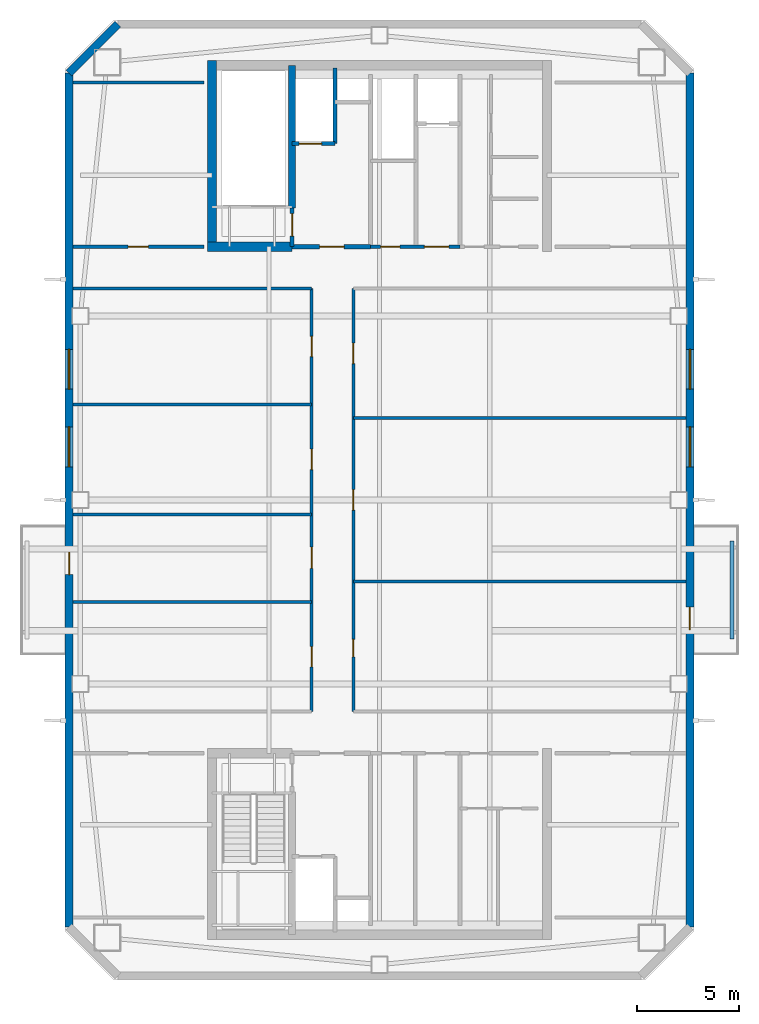
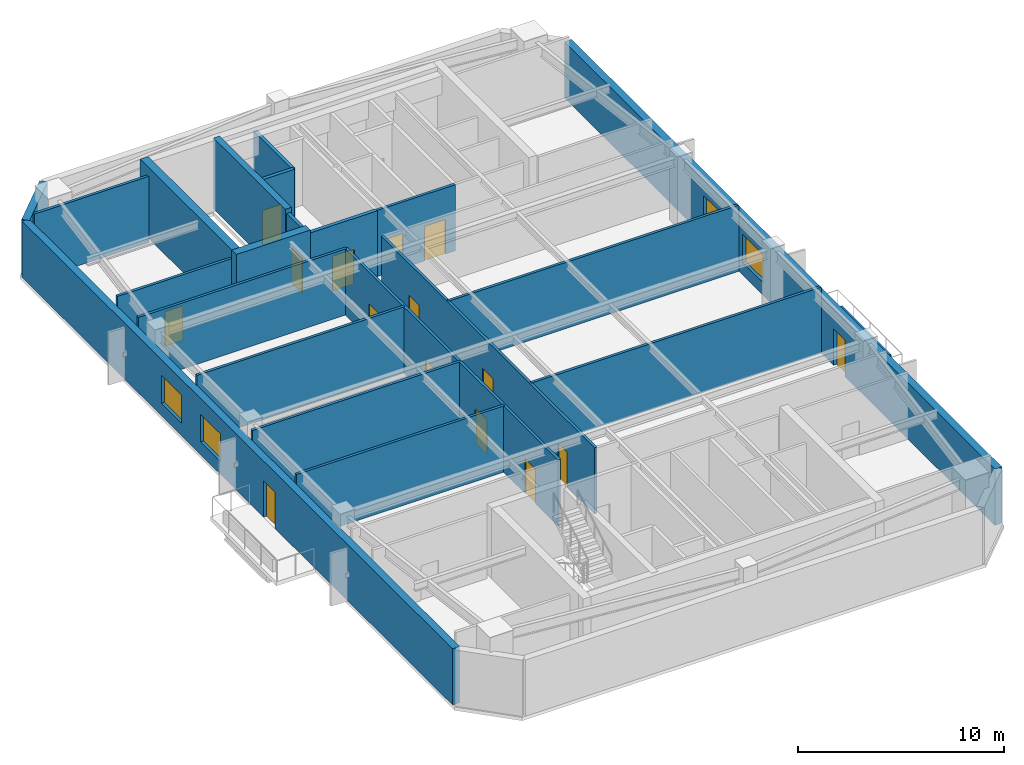
# One storey, part 3 of 6: 22 walls, 15 doors, 4 windows, 19 openings.
"""IFC4 building model written with IfcOpenShell, lengths in metres."""

import ifcopenshell
import ifcopenshell.guid

model = None  # the IFC model being written
_history = None  # IfcOwnerHistory: only IFC2X3 demands one
_inside = {}  # id of a spatial element -> (the spatial element, [elements in it])
_under = {}  # id of a project, library or spatial element -> (it, [spatial elements below it])
_declared = {}  # id of a project -> (the project, [libraries it declares])
_typed = {}  # id of a type object -> (the type object, [elements of that type])
_made_of = {}  # id of a material, layer set ... -> (it, [elements and type objects made of it])


def new_model(schema):
    """Start an empty IFC model of exactly this schema.

    Asked for "IFC4X3", IfcOpenShell would pick the latest addendum, in which some entities
    have other attributes; the version numbers below select the first issue.
    IFC2X3 requires an IfcOwnerHistory on every rooted entity: one is made here for all.
    """
    global model, _history
    if schema == "IFC4X3":
        model = ifcopenshell.file(schema_version=(4, 3, 0, 0))
    else:
        model = ifcopenshell.file(schema=schema)
    _inside.clear()
    _under.clear()
    _declared.clear()
    _typed.clear()
    _made_of.clear()
    _history = None
    if model.schema == "IFC2X3":
        org = make("IfcOrganization", Name="unknown")
        user = make(
            "IfcPersonAndOrganization",
            ThePerson=make("IfcPerson", FamilyName="unknown"),
            TheOrganization=org,
        )
        app = make(
            "IfcApplication",
            ApplicationDeveloper=org,
            Version="unknown",
            ApplicationFullName="unknown",
            ApplicationIdentifier="unknown",
        )
        _history = make(
            "IfcOwnerHistory",
            OwningUser=user,
            OwningApplication=app,
            ChangeAction="ADDED",
            CreationDate=0,
        )
    return model


def make(cls, **values):
    """One entity of the class cls with the attributes given. An attribute that is None is left unset."""
    return model.create_entity(
        cls, **{name: value for name, value in values.items() if value is not None}
    )


def rooted(cls, **values):
    """An entity with a GlobalId (a new one), such as an element, a storey or a relation."""
    return make(cls, GlobalId=ifcopenshell.guid.new(), OwnerHistory=_history, **values)


def si_unit(unit_type, name, prefix=None):
    """IfcSIUnit, for example si_unit("LENGTHUNIT", "METRE", prefix="MILLI")."""
    return make("IfcSIUnit", UnitType=unit_type, Prefix=prefix, Name=name)


def assignment(units):
    """IfcUnitAssignment: the units of a project."""
    return None if units is None else make("IfcUnitAssignment", Units=units)


def point(xyz):
    """IfcCartesianPoint."""
    return None if xyz is None else make("IfcCartesianPoint", Coordinates=xyz)


def direction(xyz):
    """IfcDirection."""
    return None if xyz is None else make("IfcDirection", DirectionRatios=xyz)


def frame(location, z_axis=None, x_axis=None):
    """IfcAxis2Placement3D, a coordinate frame: its origin and axes. An axis left out is left unset."""
    return make(
        "IfcAxis2Placement3D",
        Location=point(location),
        Axis=direction(z_axis),
        RefDirection=direction(x_axis),
    )


def frame_2d(location, x_axis=None):
    """IfcAxis2Placement2D, a coordinate frame in the plane: its origin and x axis."""
    return make(
        "IfcAxis2Placement2D", Location=point(location), RefDirection=direction(x_axis)
    )


def origin():
    """The frame at (0, 0, 0) with its axes left unset."""
    return frame((0.0, 0.0, 0.0))


def place(relative_to, where):
    """IfcLocalPlacement: puts the frame where relative to a parent placement (None: the world)."""
    return make(
        "IfcLocalPlacement", PlacementRelTo=relative_to, RelativePlacement=where
    )


def context(
    kind, dimensions, precision=None, world=None, true_north=None, identifier=None
):
    """IfcGeometricRepresentationContext, for example the 3D "Model" context."""
    return make(
        "IfcGeometricRepresentationContext",
        ContextIdentifier=identifier,
        ContextType=kind,
        CoordinateSpaceDimension=dimensions,
        Precision=precision,
        WorldCoordinateSystem=world,
        TrueNorth=true_north,
    )


def subcontext(parent, identifier, kind, view, scale=None):
    """IfcGeometricRepresentationSubContext, for example "Body" below "Model"."""
    return make(
        "IfcGeometricRepresentationSubContext",
        ContextIdentifier=identifier,
        ContextType=kind,
        ParentContext=parent,
        TargetScale=scale,
        TargetView=view,
    )


def project(units=None, contexts=None):
    """IfcProject with its units and contexts."""
    return rooted(
        "IfcProject",
        Name="project",
        RepresentationContexts=contexts,
        UnitsInContext=assignment(units),
    )


def spatial(cls, under=None, at=None, **own):
    """A site, building, storey or space (cls), placed at a placement, below another one or the project."""
    s = rooted(cls, ObjectPlacement=at, **own)
    if under is not None:
        _under.setdefault(under.id(), (under, []))[1].append(s)
    return s


def profile(cls, at=None, kind="AREA", **sizes):
    """A parametric profile (cls). Its sizes go by their IFC names, for example OverallWidth=200.0."""
    return make(cls, ProfileType=kind, Position=at, **sizes)


def rectangle(**sizes):
    """IfcRectangleProfileDef."""
    return profile("IfcRectangleProfileDef", **sizes)


def extrude(swept, where, along, depth):
    """IfcExtrudedAreaSolid: the profile swept, set in the frame where, extruded along a direction by depth."""
    return make(
        "IfcExtrudedAreaSolid",
        SweptArea=swept,
        Position=where,
        ExtrudedDirection=direction(along),
        Depth=depth,
    )


def shape(context_of_items, identifier, shape_type, items):
    """IfcShapeRepresentation: the items that make up one representation, for example the "Body"."""
    return make(
        "IfcShapeRepresentation",
        ContextOfItems=context_of_items,
        RepresentationIdentifier=identifier,
        RepresentationType=shape_type,
        Items=items,
    )


def material(Name=None, Category=None):
    """IfcMaterial."""
    return make("IfcMaterial", Name=Name, Category=Category)


def layer(
    of_material, thickness, ventilated=None, Name=None, Category=None, Priority=None
):
    """IfcMaterialLayer: one layer of a wall or slab, of a material (None: an air gap)."""
    return make(
        "IfcMaterialLayer",
        Material=of_material,
        LayerThickness=thickness,
        IsVentilated=ventilated,
        Name=Name,
        Category=Category,
        Priority=Priority,
    )


def layer_set(layers, Name=None):
    """IfcMaterialLayerSet."""
    return make("IfcMaterialLayerSet", MaterialLayers=layers, LayerSetName=Name)


def made_of(thing, what):
    """Note that an element or type object is made of a material, layer set ...; save() writes the relation."""
    if what is not None:
        _made_of.setdefault(what.id(), (what, []))[1].append(thing)
    return thing


def type_object(cls, material=None, **own):
    """A type object (cls), such as IfcWallType, which elements share."""
    return made_of(rooted(cls, **own), material)


def element(
    cls,
    number,
    at=None,
    inside=None,
    cuts=None,
    type_object=None,
    material=None,
    context=None,
    identifier="Body",
    shape_type=None,
    held_by="IfcProductDefinitionShape",
    body=None,
    shapes=None,
    **own,
):
    """One element of the class cls, such as IfcWall. Its Tag is "e" and its number.

    at: its placement. inside: the storey or other place that contains it. cuts: it is an
    opening in that element (IfcRelVoidsElement). A single representation is given by context,
    identifier, shape_type and body (its items); several are given by shapes. held_by: the class
    of the entity that holds the representations. save() writes the other relations.
    """
    e = rooted(cls, Tag="e%d" % number, ObjectPlacement=at, **own)
    if body is not None:
        shapes = [shape(context, identifier, shape_type, body)]
    if shapes is not None:
        e.Representation = make(held_by, Representations=shapes)
    if inside is not None:
        _inside.setdefault(inside.id(), (inside, []))[1].append(e)
    if cuts is not None:
        rooted(
            "IfcRelVoidsElement", RelatingBuildingElement=cuts, RelatedOpeningElement=e
        )
    if type_object is not None:
        _typed.setdefault(type_object.id(), (type_object, []))[1].append(e)
    return made_of(e, material)


def fill(opening, filler):
    """IfcRelFillsElement: the door or window that sits in an opening."""
    return rooted(
        "IfcRelFillsElement",
        RelatingOpeningElement=opening,
        RelatedBuildingElement=filler,
    )


def aggregate(whole, parts):
    """IfcRelAggregates: a whole, such as a stair, and the parts it consists of."""
    return rooted("IfcRelAggregates", RelatingObject=whole, RelatedObjects=parts)


def save(model, path):
    """Write the relations noted so far, then the file.

    IfcRelAggregates (storeys below a building ...), IfcRelContainedInSpatialStructure (elements
    in a storey), IfcRelDefinesByType, IfcRelAssociatesMaterial and IfcRelDeclares: one each for
    every whole, place, type object, material and project.
    """
    for whole, parts in _under.values():
        aggregate(whole, parts)
    for where, things in _inside.values():
        rooted(
            "IfcRelContainedInSpatialStructure",
            RelatedElements=things,
            RelatingStructure=where,
        )
    for kind, things in _typed.values():
        rooted("IfcRelDefinesByType", RelatedObjects=things, RelatingType=kind)
    for what, things in _made_of.values():
        rooted("IfcRelAssociatesMaterial", RelatedObjects=things, RelatingMaterial=what)
    for by, libraries in _declared.values():
        rooted("IfcRelDeclares", RelatingContext=by, RelatedDefinitions=libraries)
    model.write(path)


model = new_model("IFC4")

# Units and contexts
model_context = context("Model", 3, precision=1e-05, world=origin(), true_north=direction((0.0, 1.0)))
body_context = subcontext(model_context, "Body", "Model", "MODEL_VIEW")
ifc_project = project(units=[si_unit("LENGTHUNIT", "METRE"), si_unit("AREAUNIT", "SQUARE_METRE"), si_unit("VOLUMEUNIT", "CUBIC_METRE"), si_unit("PLANEANGLEUNIT", "RADIAN"), si_unit("MASSUNIT", "GRAM", prefix="KILO")], contexts=[model_context])

# Site, building, storey
site_placement = place(None, origin())
site = spatial("IfcSite", under=ifc_project, at=site_placement, CompositionType="ELEMENT")
building_placement = place(site_placement, origin())
building = spatial("IfcBuilding", under=site, at=building_placement, Name="Qiaolan Cultural Towers", CompositionType="ELEMENT")
storey_placement = place(building_placement, frame((0.0, 0.0, 276.0)))
storey = spatial("IfcBuildingStorey", under=building, at=storey_placement, Name="L76", CompositionType="ELEMENT", Elevation=276.0)

# Walls
ifc_material_1 = material(Name="Concrete C50", Category="concrete")
ifc_layer_1 = layer(ifc_material_1, 0.35009765625)
ifc_layer_set_1 = layer_set([ifc_layer_1], Name="Concrete C50")
wall_type_1 = type_object("IfcWallType", Name="WL-CORE-350", PredefinedType="SHEAR", material=ifc_layer_set_1)
wall_1_placement = place(storey_placement, frame((25.719970703125, 48.300048828125, 0.0), z_axis=(0.0, 0.0, 1.0), x_axis=(0.0, 1.0, 0.0)))
element("IfcWall", 1, at=wall_1_placement, inside=storey, type_object=wall_type_1, Name="L76 T1-CN Stair Core Dividing Web", PredefinedType="SHEAR", context=body_context, shape_type="SweptSolid", body=[
    extrude(rectangle(XDim=6.97998046875, YDim=0.35009765625, at=frame_2d((3.489990234375, 0.0))), origin(), (0.0, 0.0, 1.0), 4.199951171875),
])
ifc_material_2 = material(Name="Concrete C50", Category="concrete")
ifc_layer_2 = layer(ifc_material_2, 0.449951171875)
ifc_layer_set_2 = layer_set([ifc_layer_2], Name="Concrete C50")
wall_type_2 = type_object("IfcWallType", Name="WL-CORE-450", PredefinedType="SHEAR", material=ifc_layer_set_2)
wall_2_placement = place(storey_placement, frame((21.800048828125, 46.175048828125, 0.0), z_axis=(0.0, 0.0, 1.0), x_axis=(0.0, 1.0, 0.0)))
element("IfcWall", 2, at=wall_2_placement, inside=storey, type_object=wall_type_2, Name="L76 T1-CN West Core Shear Wall", PredefinedType="SHEAR", context=body_context, shape_type="SweptSolid", body=[
    extrude(rectangle(XDim=9.329833984375, YDim=0.449951171875, at=frame_2d((4.6650390625, 0.0))), origin(), (0.0, 0.0, 1.0), 4.199951171875),
])
wall_3_placement = place(storey_placement, frame((21.574951171875, 46.39990234375, 0.0), z_axis=(0.0, 0.0, 1.0), x_axis=(1.0, 0.0, 0.0)))
element("IfcWall", 3, at=wall_3_placement, inside=storey, type_object=wall_type_2, Name="L76 T1-CN Stair Front Shear Wall", PredefinedType="SHEAR", context=body_context, shape_type="SweptSolid", body=[
    extrude(rectangle(XDim=4.14501953125, YDim=0.449951171875, at=frame_2d((2.072509765625, 0.0))), origin(), (0.0, 0.0, 1.0), 4.199951171875),
])

# Wall, openings, door, windows
ifc_material_3 = material(Name="Precast Concrete C50 Honed Stone Pier", Category="masonry")
ifc_layer_3 = layer(ifc_material_3, 0.39990234375)
ifc_layer_set_3 = layer_set([ifc_layer_3], Name="Precast Concrete C50 Honed Stone Pier")
wall_type_3 = type_object("IfcWallType", Name="WL-EXT-PIER-400", PredefinedType="SOLIDWALL", material=ifc_layer_set_3)
wall_4_placement = place(storey_placement, frame((14.800048828125, 13.10009765625, 0.0), z_axis=(0.0, 0.0, 1.0), x_axis=(0.0, 1.0, 0.0)))
wall_4 = element("IfcWall", 4, at=wall_4_placement, inside=storey, type_object=wall_type_3, Name="L76 West Tower Precast Pier Facade Wall F1", PredefinedType="SOLIDWALL", context=body_context, shape_type="SweptSolid", body=[
    extrude(rectangle(XDim=41.7998046875, YDim=0.39990234375, at=frame_2d((20.89990234375, 0.0))), origin(), (0.0, 0.0, 1.0), 3.330078125),
])
opening_1_placement = place(wall_4_placement, frame((22.52490234375, 0.0, 0.75)))
opening_1 = element("IfcOpeningElement", 5, at=opening_1_placement, cuts=wall_4, Name="Opening W-06", PredefinedType="OPENING", context=body_context, shape_type="SweptSolid", body=[
    extrude(rectangle(XDim=1.949951171875, YDim=1.64990234375, at=frame_2d((0.97509765625, 0.824951171875))), frame((0.0, 0.2099609375, 0.0), z_axis=(0.0, -1.0, 0.0), x_axis=(1.0, 0.0, 0.0)), (0.0, 0.0, 1.0), 0.419921875),
])
opening_2_placement = place(wall_4_placement, frame((26.324951171875, 0.0, 0.75)))
opening_2 = element("IfcOpeningElement", 6, at=opening_2_placement, cuts=wall_4, Name="Opening W-06", PredefinedType="OPENING", context=body_context, shape_type="SweptSolid", body=[
    extrude(rectangle(XDim=1.949951171875, YDim=1.64990234375, at=frame_2d((0.97509765625, 0.824951171875))), frame((0.0, 0.2099609375, 0.0), z_axis=(0.0, -1.0, 0.0), x_axis=(1.0, 0.0, 0.0)), (0.0, 0.0, 1.0), 0.419921875),
])
opening_3_placement = place(wall_4_placement, frame((17.25, 0.0, 0.0)))
opening_3 = element("IfcOpeningElement", 7, at=opening_3_placement, cuts=wall_4, Name="Opening BD-01", PredefinedType="OPENING", context=body_context, shape_type="SweptSolid", body=[
    extrude(rectangle(XDim=1.10009765625, YDim=2.14990234375, at=frame_2d((0.550048828125, 1.074951171875))), frame((0.0, 0.2099609375, 0.0), z_axis=(0.0, -1.0, 0.0), x_axis=(1.0, 0.0, 0.0)), (0.0, 0.0, 1.0), 0.419921875),
])
ifc_material_4 = material(Name="Thermally Broken Aluminium Glazed Terrace Door", Category="aluminium")
door_type_1 = type_object("IfcDoorType", Name="DR-BAL-1100", OperationType="NOTDEFINED", PredefinedType="DOOR", material=ifc_material_4)
door_1_placement = place(opening_3_placement, origin())
door_1 = element("IfcDoor", 8, at=door_1_placement, inside=storey, type_object=door_type_1, Name="L76 T1 West Tree Balcony Door", OperationType="SINGLE_SWING_LEFT", OverallHeight=2.14990234375, OverallWidth=1.10009765625, PredefinedType="DOOR", context=body_context, shape_type="SweptSolid", body=[
    extrude(rectangle(XDim=1.10009765625, YDim=2.14990234375, at=frame_2d((0.550048828125, 1.074951171875))), frame((0.0, 0.02490234375, 0.0), z_axis=(0.0, -1.0, 0.0), x_axis=(1.0, 0.0, 0.0)), (0.0, 0.0, 1.0), 0.050048828125),
])
fill(opening_3, door_1)
ifc_material_5 = material(Name="Thermally Broken Aluminium Triple Low-E Glazing", Category="aluminium")
window_type = type_object("IfcWindowType", Name="WN-CHIC-1950", PartitioningType="SINGLE_PANEL", PredefinedType="WINDOW", material=ifc_material_5)
window_1_placement = place(opening_1_placement, origin())
window_1 = element("IfcWindow", 9, at=window_1_placement, inside=storey, type_object=window_type, Name="L76 T1 W Chicago Bay Window 1", OverallHeight=1.64990234375, OverallWidth=1.949951171875, PartitioningType="TRIPLE_PANEL_VERTICAL", PredefinedType="WINDOW", context=body_context, shape_type="SweptSolid", body=[
    extrude(rectangle(XDim=1.949951171875, YDim=1.64990234375, at=frame_2d((0.97509765625, 0.824951171875))), frame((0.0, 0.030029296875, 0.0), z_axis=(0.0, -1.0, 0.0), x_axis=(1.0, 0.0, 0.0)), (0.0, 0.0, 1.0), 0.06005859375),
])
fill(opening_1, window_1)
window_2_placement = place(opening_2_placement, origin())
window_2 = element("IfcWindow", 10, at=window_2_placement, inside=storey, type_object=window_type, Name="L76 T1 W Chicago Bay Window 2", OverallHeight=1.64990234375, OverallWidth=1.949951171875, PartitioningType="TRIPLE_PANEL_VERTICAL", PredefinedType="WINDOW", context=body_context, shape_type="SweptSolid", body=[
    extrude(rectangle(XDim=1.949951171875, YDim=1.64990234375, at=frame_2d((0.97509765625, 0.824951171875))), frame((0.0, 0.030029296875, 0.0), z_axis=(0.0, -1.0, 0.0), x_axis=(1.0, 0.0, 0.0)), (0.0, 0.0, 1.0), 0.06005859375),
])
fill(opening_2, window_2)

# Wall
wall_5_placement = place(storey_placement, frame((14.800048828125, 54.89990234375, 0.0), z_axis=(0.0, 0.0, 1.0), x_axis=(0.707070815327, 0.707142745217, 0.0)))
element("IfcWall", 11, at=wall_5_placement, inside=storey, type_object=wall_type_3, Name="L76 West Tower Precast Pier Facade Wall F2", PredefinedType="SOLIDWALL", context=body_context, shape_type="SweptSolid", body=[
    extrude(rectangle(XDim=3.39404296875, YDim=0.39990234375, at=frame_2d((1.697021484375, 0.0))), origin(), (0.0, 0.0, 1.0), 3.330078125),
])

# Wall, openings, door, windows
wall_6_placement = place(storey_placement, frame((45.199951171875, 54.89990234375, 0.0), z_axis=(0.0, 0.0, 1.0), x_axis=(0.0, -1.0, 0.0)))
wall_6 = element("IfcWall", 12, at=wall_6_placement, inside=storey, type_object=wall_type_3, Name="L76 West Tower Precast Pier Facade Wall F5", PredefinedType="SOLIDWALL", context=body_context, shape_type="SweptSolid", body=[
    extrude(rectangle(XDim=41.7998046875, YDim=0.39990234375, at=frame_2d((20.89990234375, 0.0))), origin(), (0.0, 0.0, 1.0), 3.330078125),
])
opening_4_placement = place(wall_6_placement, frame((17.324951171875, 0.0, 0.75)))
opening_4 = element("IfcOpeningElement", 13, at=opening_4_placement, cuts=wall_6, Name="Opening W-06", PredefinedType="OPENING", context=body_context, shape_type="SweptSolid", body=[
    extrude(rectangle(XDim=1.949951171875, YDim=1.64990234375, at=frame_2d((0.97509765625, 0.824951171875))), frame((0.0, 0.2099609375, 0.0), z_axis=(0.0, -1.0, 0.0), x_axis=(1.0, 0.0, 0.0)), (0.0, 0.0, 1.0), 0.419921875),
])
opening_5_placement = place(wall_6_placement, frame((13.52490234375, 0.0, 0.75)))
opening_5 = element("IfcOpeningElement", 14, at=opening_5_placement, cuts=wall_6, Name="Opening W-06", PredefinedType="OPENING", context=body_context, shape_type="SweptSolid", body=[
    extrude(rectangle(XDim=1.949951171875, YDim=1.64990234375, at=frame_2d((0.97509765625, 0.824951171875))), frame((0.0, 0.2099609375, 0.0), z_axis=(0.0, -1.0, 0.0), x_axis=(1.0, 0.0, 0.0)), (0.0, 0.0, 1.0), 0.419921875),
])
opening_6_placement = place(wall_6_placement, frame((26.14990234375, 0.0, 0.0)))
opening_6 = element("IfcOpeningElement", 15, at=opening_6_placement, cuts=wall_6, Name="Opening BD-01", PredefinedType="OPENING", context=body_context, shape_type="SweptSolid", body=[
    extrude(rectangle(XDim=1.10009765625, YDim=2.14990234375, at=frame_2d((0.550048828125, 1.074951171875))), frame((0.0, 0.2099609375, 0.0), z_axis=(0.0, -1.0, 0.0), x_axis=(1.0, 0.0, 0.0)), (0.0, 0.0, 1.0), 0.419921875),
])
door_2_placement = place(opening_6_placement, origin())
door_2 = element("IfcDoor", 16, at=door_2_placement, inside=storey, type_object=door_type_1, Name="L76 T1 East Tree Balcony Door", OperationType="SINGLE_SWING_RIGHT", OverallHeight=2.14990234375, OverallWidth=1.10009765625, PredefinedType="DOOR", context=body_context, shape_type="SweptSolid", body=[
    extrude(rectangle(XDim=1.10009765625, YDim=2.14990234375, at=frame_2d((0.550048828125, 1.074951171875))), frame((0.0, 0.02490234375, 0.0), z_axis=(0.0, -1.0, 0.0), x_axis=(1.0, 0.0, 0.0)), (0.0, 0.0, 1.0), 0.050048828125),
])
fill(opening_6, door_2)
window_3_placement = place(opening_4_placement, origin())
window_3 = element("IfcWindow", 17, at=window_3_placement, inside=storey, type_object=window_type, Name="L76 T1 E Chicago Bay Window 1", OverallHeight=1.64990234375, OverallWidth=1.949951171875, PartitioningType="TRIPLE_PANEL_VERTICAL", PredefinedType="WINDOW", context=body_context, shape_type="SweptSolid", body=[
    extrude(rectangle(XDim=1.949951171875, YDim=1.64990234375, at=frame_2d((0.97509765625, 0.824951171875))), frame((0.0, 0.030029296875, 0.0), z_axis=(0.0, -1.0, 0.0), x_axis=(1.0, 0.0, 0.0)), (0.0, 0.0, 1.0), 0.06005859375),
])
fill(opening_4, window_3)
window_4_placement = place(opening_5_placement, origin())
window_4 = element("IfcWindow", 18, at=window_4_placement, inside=storey, type_object=window_type, Name="L76 T1 E Chicago Bay Window 2", OverallHeight=1.64990234375, OverallWidth=1.949951171875, PartitioningType="TRIPLE_PANEL_VERTICAL", PredefinedType="WINDOW", context=body_context, shape_type="SweptSolid", body=[
    extrude(rectangle(XDim=1.949951171875, YDim=1.64990234375, at=frame_2d((0.97509765625, 0.824951171875))), frame((0.0, 0.030029296875, 0.0), z_axis=(0.0, -1.0, 0.0), x_axis=(1.0, 0.0, 0.0)), (0.0, 0.0, 1.0), 0.06005859375),
])
fill(opening_5, window_4)

# Wall, opening, door
ifc_material_6 = material(Name="Concrete C35 Fire Wall", Category="concrete")
ifc_layer_4 = layer(ifc_material_6, 0.199951171875)
ifc_layer_set_4 = layer_set([ifc_layer_4], Name="Concrete C35 Fire Wall")
wall_type_4 = type_object("IfcWallType", Name="WL-FIRE-200", PredefinedType="PARTITIONING", material=ifc_layer_set_4)
wall_7_placement = place(storey_placement, frame((25.719970703125, 46.39990234375, 0.0), z_axis=(0.0, 0.0, 1.0), x_axis=(0.0, 1.0, 0.0)))
wall_7 = element("IfcWall", 19, at=wall_7_placement, inside=storey, type_object=wall_type_4, Name="L76 T1-CN Smokeproof Stair Entry Wall", PredefinedType="PARTITIONING", context=body_context, shape_type="SweptSolid", body=[
    extrude(rectangle(XDim=1.900146484375, YDim=0.199951171875, at=frame_2d((0.9501953125, 0.0))), origin(), (0.0, 0.0, 1.0), 3.925048828125),
])
opening_7_placement = place(wall_7_placement, frame((0.52001953125, 0.0, 0.0)))
opening_7 = element("IfcOpeningElement", 20, at=opening_7_placement, cuts=wall_7, Name="Opening FD-04", PredefinedType="OPENING", context=body_context, shape_type="SweptSolid", body=[
    extrude(rectangle(XDim=1.10009765625, YDim=2.050048828125, at=frame_2d((0.550048828125, 1.02490234375))), frame((0.0, 0.10986328125, 0.0), z_axis=(0.0, -1.0, 0.0), x_axis=(1.0, 0.0, 0.0)), (0.0, 0.0, 1.0), 0.219970703125),
])
ifc_material_7 = material(Name="Galvanized Steel Command Fire Door", Category="steel")
door_type_2 = type_object("IfcDoorType", Name="DR-FD90-1100", OperationType="NOTDEFINED", PredefinedType="DOOR", material=ifc_material_7)
door_3_placement = place(opening_7_placement, origin())
door_3 = element("IfcDoor", 21, at=door_3_placement, inside=storey, type_object=door_type_2, Name="L76 ST-W2 Smokeproof Stair Fire Door", OperationType="SINGLE_SWING_LEFT", OverallHeight=2.050048828125, OverallWidth=1.10009765625, PredefinedType="DOOR", context=body_context, shape_type="SweptSolid", body=[
    extrude(rectangle(XDim=1.10009765625, YDim=2.050048828125, at=frame_2d((0.550048828125, 1.02490234375))), frame((0.0, 0.02490234375, 0.0), z_axis=(0.0, -1.0, 0.0), x_axis=(1.0, 0.0, 0.0)), (0.0, 0.0, 1.0), 0.050048828125),
])
fill(opening_7, door_3)

wall_8_placement = place(storey_placement, frame((25.719970703125, 46.39990234375, 0.0), z_axis=(0.0, 0.0, 1.0), x_axis=(1.0, 0.0, 0.0)))
wall_8 = element("IfcWall", 22, at=wall_8_placement, inside=storey, type_object=wall_type_4, Name="L76 T1-CN Firefighting Lobby Front Wall", PredefinedType="PARTITIONING", context=body_context, shape_type="SweptSolid", body=[
    extrude(rectangle(XDim=3.830078125, YDim=0.199951171875, at=frame_2d((1.9150390625, 0.0))), origin(), (0.0, 0.0, 1.0), 3.925048828125),
])
opening_8_placement = place(wall_8_placement, frame((1.35009765625, 0.0, 0.0)))
opening_8 = element("IfcOpeningElement", 23, at=opening_8_placement, cuts=wall_8, Name="Opening FD-03", PredefinedType="OPENING", context=body_context, shape_type="SweptSolid", body=[
    extrude(rectangle(XDim=1.199951171875, YDim=2.050048828125, at=frame_2d((0.60009765625, 1.02490234375))), frame((0.0, 0.10986328125, 0.0), z_axis=(0.0, -1.0, 0.0), x_axis=(1.0, 0.0, 0.0)), (0.0, 0.0, 1.0), 0.219970703125),
])
ifc_material_8 = material(Name="Galvanized Steel Smokeproof Lobby Fire Door", Category="steel")
door_type_3 = type_object("IfcDoorType", Name="DR-FD90-1200", OperationType="NOTDEFINED", PredefinedType="DOOR", material=ifc_material_8)
door_4_placement = place(opening_8_placement, origin())
door_4 = element("IfcDoor", 24, at=door_4_placement, inside=storey, type_object=door_type_3, Name="L76 FFL-W2 Firefighting Lobby Fire Door", OperationType="SINGLE_SWING_LEFT", OverallHeight=2.050048828125, OverallWidth=1.199951171875, PredefinedType="DOOR", context=body_context, shape_type="SweptSolid", body=[
    extrude(rectangle(XDim=1.199951171875, YDim=2.050048828125, at=frame_2d((0.60009765625, 1.02490234375))), frame((0.0, 0.02490234375, 0.0), z_axis=(0.0, -1.0, 0.0), x_axis=(1.0, 0.0, 0.0)), (0.0, 0.0, 1.0), 0.050048828125),
])
fill(opening_8, door_4)

wall_9_placement = place(storey_placement, frame((25.719970703125, 51.449951171875, 0.0), z_axis=(0.0, 0.0, 1.0), x_axis=(1.0, 0.0, 0.0)))
wall_9 = element("IfcWall", 25, at=wall_9_placement, inside=storey, type_object=wall_type_4, Name="L76 T1-CN Firefighting Shaft Front Wall", PredefinedType="PARTITIONING", context=body_context, shape_type="SweptSolid", body=[
    extrude(rectangle(XDim=2.10009765625, YDim=0.199951171875, at=frame_2d((1.050048828125, 0.0))), origin(), (0.0, 0.0, 1.0), 3.925048828125),
])
opening_9_placement = place(wall_9_placement, frame((0.35009765625, 0.0, 0.0)))
opening_9 = element("IfcOpeningElement", 26, at=opening_9_placement, cuts=wall_9, Name="Opening LD-01", PredefinedType="OPENING", context=body_context, shape_type="SweptSolid", body=[
    extrude(rectangle(XDim=1.10009765625, YDim=2.050048828125, at=frame_2d((0.550048828125, 1.02490234375))), frame((0.0, 0.10986328125, 0.0), z_axis=(0.0, -1.0, 0.0), x_axis=(1.0, 0.0, 0.0)), (0.0, 0.0, 1.0), 0.219970703125),
])
ifc_material_9 = material(Name="Brushed Stainless Steel S30408 Centre-Parting Lift Landing Door", Category="steel")
door_type_4 = type_object("IfcDoorType", Name="DR-LIFT-1100", OperationType="NOTDEFINED", PredefinedType="DOOR", material=ifc_material_9)
door_5_placement = place(opening_9_placement, origin())
door_5 = element("IfcDoor", 27, at=door_5_placement, inside=storey, type_object=door_type_4, Name="L76 FFL-W2 Firefighting Lift Landing Door", OperationType="DOUBLE_DOOR_SLIDING", OverallHeight=2.050048828125, OverallWidth=1.10009765625, PredefinedType="DOOR", context=body_context, shape_type="SweptSolid", body=[
    extrude(rectangle(XDim=1.10009765625, YDim=2.050048828125, at=frame_2d((0.550048828125, 1.02490234375))), frame((0.0, 0.02490234375, 0.0), z_axis=(0.0, -1.0, 0.0), x_axis=(1.0, 0.0, 0.0)), (0.0, 0.0, 1.0), 0.050048828125),
])
fill(opening_9, door_5)

# Wall
wall_10_placement = place(storey_placement, frame((27.820068359375, 51.449951171875, 0.0), z_axis=(0.0, 0.0, 1.0), x_axis=(0.0, 1.0, 0.0)))
element("IfcWall", 28, at=wall_10_placement, inside=storey, type_object=wall_type_4, Name="L76 T1-CN Firefighting Hoistway East Wall", PredefinedType="PARTITIONING", context=body_context, shape_type="SweptSolid", body=[
    extrude(rectangle(XDim=3.699951171875, YDim=0.199951171875, at=frame_2d((1.85009765625, 0.0))), origin(), (0.0, 0.0, 1.0), 3.925048828125),
])

# Wall, openings, doors
ifc_material_10 = material(Name="Autoclaved Aerated Concrete Block B06", Category="concrete")
ifc_layer_5 = layer(ifc_material_10, 0.14990234375)
ifc_layer_set_5 = layer_set([ifc_layer_5], Name="Autoclaved Aerated Concrete Block B06")
wall_type_5 = type_object("IfcWallType", Name="WL-PART-150", PredefinedType="PARTITIONING", material=ifc_layer_set_5)
wall_11_placement = place(storey_placement, frame((29.550048828125, 46.39990234375, 0.0), z_axis=(0.0, 0.0, 1.0), x_axis=(1.0, 0.0, 0.0)))
wall_11 = element("IfcWall", 29, at=wall_11_placement, inside=storey, type_object=wall_type_5, Name="L76 T1-CN High-Zone Lift Lobby Wall", PredefinedType="PARTITIONING", context=body_context, shape_type="SweptSolid", body=[
    extrude(rectangle(XDim=4.39990234375, YDim=0.14990234375, at=frame_2d((2.199951171875, 0.0))), origin(), (0.0, 0.0, 1.0), 3.925048828125),
])
opening_10_placement = place(wall_11_placement, frame((0.5, 0.0, 0.0)))
opening_10 = element("IfcOpeningElement", 30, at=opening_10_placement, cuts=wall_11, Name="Opening ID-05", PredefinedType="OPENING", context=body_context, shape_type="SweptSolid", body=[
    extrude(rectangle(XDim=0.949951171875, YDim=2.050048828125, at=frame_2d((0.47509765625, 1.02490234375))), frame((0.0, 0.0849609375, 0.0), z_axis=(0.0, -1.0, 0.0), x_axis=(1.0, 0.0, 0.0)), (0.0, 0.0, 1.0), 0.169921875),
])
opening_11_placement = place(wall_11_placement, frame((2.64990234375, 0.0, 0.0)))
opening_11 = element("IfcOpeningElement", 31, at=opening_11_placement, cuts=wall_11, Name="Opening FD-06", PredefinedType="OPENING", context=body_context, shape_type="SweptSolid", body=[
    extrude(rectangle(XDim=1.199951171875, YDim=2.050048828125, at=frame_2d((0.60009765625, 1.02490234375))), frame((0.0, 0.0849609375, 0.0), z_axis=(0.0, -1.0, 0.0), x_axis=(1.0, 0.0, 0.0)), (0.0, 0.0, 1.0), 0.169921875),
])
ifc_material_11 = material(Name="Painted Steel Plant Fire Door", Category="steel")
door_type_5 = type_object("IfcDoorType", Name="DR-FD60-1200", OperationType="NOTDEFINED", PredefinedType="DOOR", material=ifc_material_11)
door_6_placement = place(opening_11_placement, origin())
door_6 = element("IfcDoor", 32, at=door_6_placement, inside=storey, type_object=door_type_5, Name="L76 Sky Shuttle Lift Lobby Door", OperationType="SINGLE_SWING_RIGHT", OverallHeight=2.050048828125, OverallWidth=1.199951171875, PredefinedType="DOOR", context=body_context, shape_type="SweptSolid", body=[
    extrude(rectangle(XDim=1.199951171875, YDim=2.050048828125, at=frame_2d((0.60009765625, 1.02490234375))), frame((0.0, 0.02490234375, 0.0), z_axis=(0.0, -1.0, 0.0), x_axis=(1.0, 0.0, 0.0)), (0.0, 0.0, 1.0), 0.050048828125),
])
fill(opening_11, door_6)
ifc_material_12 = material(Name="Fire-Rated Laminate Accessible Core Door", Category="timber")
door_type_6 = type_object("IfcDoorType", Name="DR-INT-950", OperationType="NOTDEFINED", PredefinedType="DOOR", material=ifc_material_12)
door_7_placement = place(opening_10_placement, origin())
door_7 = element("IfcDoor", 33, at=door_7_placement, inside=storey, type_object=door_type_6, Name="L76 Reclaimed Server Room Door", OperationType="SINGLE_SWING_LEFT", OverallHeight=2.050048828125, OverallWidth=0.949951171875, PredefinedType="DOOR", context=body_context, shape_type="SweptSolid", body=[
    extrude(rectangle(XDim=0.949951171875, YDim=2.050048828125, at=frame_2d((0.47509765625, 1.02490234375))), frame((0.0, 0.02490234375, 0.0), z_axis=(0.0, -1.0, 0.0), x_axis=(1.0, 0.0, 0.0)), (0.0, 0.0, 1.0), 0.050048828125),
])
fill(opening_10, door_7)

# Wall
wall_12_placement = place(storey_placement, frame((15.0, 54.449951171875, 0.0), z_axis=(0.0, 0.0, 1.0), x_axis=(1.0, 0.0, 0.0)))
element("IfcWall", 34, at=wall_12_placement, inside=storey, type_object=wall_type_5, Name="L76 T1 Flank Wall FLK-NW", PredefinedType="PARTITIONING", context=body_context, shape_type="SweptSolid", body=[
    extrude(rectangle(XDim=6.39990234375, YDim=0.14990234375, at=frame_2d((3.199951171875, 0.0))), origin(), (0.0, 0.0, 1.0), 3.925048828125),
])

# Wall, opening, door
wall_13_placement = place(storey_placement, frame((15.0, 46.39990234375, 0.0), z_axis=(0.0, 0.0, 1.0), x_axis=(1.0, 0.0, 0.0)))
wall_13 = element("IfcWall", 35, at=wall_13_placement, inside=storey, type_object=wall_type_5, Name="L76 T1 Flank Front FLK-NW", PredefinedType="PARTITIONING", context=body_context, shape_type="SweptSolid", body=[
    extrude(rectangle(XDim=6.39990234375, YDim=0.14990234375, at=frame_2d((3.199951171875, 0.0))), origin(), (0.0, 0.0, 1.0), 3.925048828125),
])
opening_12_placement = place(wall_13_placement, frame((2.68798828125, 0.0, 0.0)))
opening_12 = element("IfcOpeningElement", 36, at=opening_12_placement, cuts=wall_13, Name="Opening ID-04", PredefinedType="OPENING", context=body_context, shape_type="SweptSolid", body=[
    extrude(rectangle(XDim=1.0, YDim=2.050048828125, at=frame_2d((0.5, 1.02490234375))), frame((0.0, 0.0849609375, 0.0), z_axis=(0.0, -1.0, 0.0), x_axis=(1.0, 0.0, 0.0)), (0.0, 0.0, 1.0), 0.169921875),
])
ifc_material_13 = material(Name="Oak Veneer Acoustic Office Door", Category="timber")
door_type_7 = type_object("IfcDoorType", Name="DR-INT-1000", OperationType="NOTDEFINED", PredefinedType="DOOR", material=ifc_material_13)
door_8_placement = place(opening_12_placement, origin())
door_8 = element("IfcDoor", 37, at=door_8_placement, inside=storey, type_object=door_type_7, Name="L76 T1 Corner Studio Door", OperationType="SINGLE_SWING_LEFT", OverallHeight=2.050048828125, OverallWidth=1.0, PredefinedType="DOOR", context=body_context, shape_type="SweptSolid", body=[
    extrude(rectangle(XDim=1.0, YDim=2.050048828125, at=frame_2d((0.5, 1.02490234375))), frame((0.0, 0.02490234375, 0.0), z_axis=(0.0, -1.0, 0.0), x_axis=(1.0, 0.0, 0.0)), (0.0, 0.0, 1.0), 0.050048828125),
])
fill(opening_12, door_8)

# Wall
wall_14_placement = place(storey_placement, frame((15.0, 44.35009765625, 0.0), z_axis=(0.0, 0.0, 1.0), x_axis=(1.0, 0.0, 0.0)))
element("IfcWall", 38, at=wall_14_placement, inside=storey, type_object=wall_type_5, Name="L76 T1 North Corridor Left Wall", PredefinedType="PARTITIONING", context=body_context, shape_type="SweptSolid", body=[
    extrude(rectangle(XDim=11.675048828125, YDim=0.14990234375, at=frame_2d((5.83740234375, 0.0))), origin(), (0.0, 0.0, 1.0), 3.925048828125),
])

# Wall, openings, doors
wall_15_placement = place(storey_placement, frame((26.675048828125, 23.64990234375, 0.0), z_axis=(0.0, 0.0, 1.0), x_axis=(0.0, 1.0, 0.0)))
wall_15 = element("IfcWall", 39, at=wall_15_placement, inside=storey, type_object=wall_type_5, Name="L76 T1 West Spine Wall", PredefinedType="PARTITIONING", context=body_context, shape_type="SweptSolid", body=[
    extrude(rectangle(XDim=20.7001953125, YDim=0.14990234375, at=frame_2d((10.35009765625, 0.0))), origin(), (0.0, 0.0, 1.0), 3.925048828125),
])
opening_13_placement = place(wall_15_placement, frame((2.175048828125, 0.0, 0.0)))
opening_13 = element("IfcOpeningElement", 40, at=opening_13_placement, cuts=wall_15, Name="Opening ID-04", PredefinedType="OPENING", context=body_context, shape_type="SweptSolid", body=[
    extrude(rectangle(XDim=1.0, YDim=2.050048828125, at=frame_2d((0.5, 1.02490234375))), frame((0.0, 0.0849609375, 0.0), z_axis=(0.0, -1.0, 0.0), x_axis=(1.0, 0.0, 0.0)), (0.0, 0.0, 1.0), 0.169921875),
])
opening_14_placement = place(wall_15_placement, frame((6.99853515625, 0.0, 0.0)))
opening_14 = element("IfcOpeningElement", 41, at=opening_14_placement, cuts=wall_15, Name="Opening ID-07", PredefinedType="OPENING", context=body_context, shape_type="SweptSolid", body=[
    extrude(rectangle(XDim=1.050048828125, YDim=2.050048828125, at=frame_2d((0.52490234375, 1.02490234375))), frame((0.0, 0.0849609375, 0.0), z_axis=(0.0, -1.0, 0.0), x_axis=(1.0, 0.0, 0.0)), (0.0, 0.0, 1.0), 0.169921875),
])
opening_15_placement = place(wall_15_placement, frame((11.837890625, 0.0, 0.0)))
opening_15 = element("IfcOpeningElement", 42, at=opening_15_placement, cuts=wall_15, Name="Opening ID-04", PredefinedType="OPENING", context=body_context, shape_type="SweptSolid", body=[
    extrude(rectangle(XDim=1.0, YDim=2.050048828125, at=frame_2d((0.5, 1.02490234375))), frame((0.0, 0.0849609375, 0.0), z_axis=(0.0, -1.0, 0.0), x_axis=(1.0, 0.0, 0.0)), (0.0, 0.0, 1.0), 0.169921875),
])
opening_16_placement = place(wall_15_placement, frame((17.364501953125, 0.0, 0.0)))
opening_16 = element("IfcOpeningElement", 43, at=opening_16_placement, cuts=wall_15, Name="Opening ID-04", PredefinedType="OPENING", context=body_context, shape_type="SweptSolid", body=[
    extrude(rectangle(XDim=1.0, YDim=2.050048828125, at=frame_2d((0.5, 1.02490234375))), frame((0.0, 0.0849609375, 0.0), z_axis=(0.0, -1.0, 0.0), x_axis=(1.0, 0.0, 0.0)), (0.0, 0.0, 1.0), 0.169921875),
])
door_9_placement = place(opening_13_placement, origin())
door_9 = element("IfcDoor", 44, at=door_9_placement, inside=storey, type_object=door_type_7, Name="L76 T1 Summit Cultural Library Door", OperationType="SINGLE_SWING_LEFT", OverallHeight=2.050048828125, OverallWidth=1.0, PredefinedType="DOOR", context=body_context, shape_type="SweptSolid", body=[
    extrude(rectangle(XDim=1.0, YDim=2.050048828125, at=frame_2d((0.5, 1.02490234375))), frame((0.0, 0.02490234375, 0.0), z_axis=(0.0, -1.0, 0.0), x_axis=(1.0, 0.0, 0.0)), (0.0, 0.0, 1.0), 0.050048828125),
])
fill(opening_13, door_9)
door_10_placement = place(opening_15_placement, origin())
door_10 = element("IfcDoor", 45, at=door_10_placement, inside=storey, type_object=door_type_7, Name="L76 T1 Summit Boardroom Door", OperationType="SINGLE_SWING_LEFT", OverallHeight=2.050048828125, OverallWidth=1.0, PredefinedType="DOOR", context=body_context, shape_type="SweptSolid", body=[
    extrude(rectangle(XDim=1.0, YDim=2.050048828125, at=frame_2d((0.5, 1.02490234375))), frame((0.0, 0.02490234375, 0.0), z_axis=(0.0, -1.0, 0.0), x_axis=(1.0, 0.0, 0.0)), (0.0, 0.0, 1.0), 0.050048828125),
])
fill(opening_15, door_10)
door_11_placement = place(opening_16_placement, origin())
door_11 = element("IfcDoor", 46, at=door_11_placement, inside=storey, type_object=door_type_7, Name="L76 T1 Summit Club Lounge Door", OperationType="SINGLE_SWING_RIGHT", OverallHeight=2.050048828125, OverallWidth=1.0, PredefinedType="DOOR", context=body_context, shape_type="SweptSolid", body=[
    extrude(rectangle(XDim=1.0, YDim=2.050048828125, at=frame_2d((0.5, 1.02490234375))), frame((0.0, 0.02490234375, 0.0), z_axis=(0.0, -1.0, 0.0), x_axis=(1.0, 0.0, 0.0)), (0.0, 0.0, 1.0), 0.050048828125),
])
fill(opening_16, door_11)
ifc_material_14 = material(Name="Oak Veneer Consultation Door", Category="timber")
door_type_8 = type_object("IfcDoorType", Name="DR-INT-1050", OperationType="NOTDEFINED", PredefinedType="DOOR", material=ifc_material_14)
door_12_placement = place(opening_14_placement, origin())
door_12 = element("IfcDoor", 47, at=door_12_placement, inside=storey, type_object=door_type_8, Name="L76 T1 Summit Office Door", OperationType="SINGLE_SWING_RIGHT", OverallHeight=2.050048828125, OverallWidth=1.050048828125, PredefinedType="DOOR", context=body_context, shape_type="SweptSolid", body=[
    extrude(rectangle(XDim=1.050048828125, YDim=2.050048828125, at=frame_2d((0.52490234375, 1.02490234375))), frame((0.0, 0.02490234375, 0.0), z_axis=(0.0, -1.0, 0.0), x_axis=(1.0, 0.0, 0.0)), (0.0, 0.0, 1.0), 0.050048828125),
])
fill(opening_14, door_12)

wall_16_placement = place(storey_placement, frame((28.72509765625, 23.64990234375, 0.0), z_axis=(0.0, 0.0, 1.0), x_axis=(0.0, 1.0, 0.0)))
wall_16 = element("IfcWall", 48, at=wall_16_placement, inside=storey, type_object=wall_type_5, Name="L76 T1 East Spine Wall", PredefinedType="PARTITIONING", context=body_context, shape_type="SweptSolid", body=[
    extrude(rectangle(XDim=20.7001953125, YDim=0.14990234375, at=frame_2d((10.35009765625, 0.0))), origin(), (0.0, 0.0, 1.0), 3.925048828125),
])
opening_17_placement = place(wall_16_placement, frame((2.675048828125, 0.0, 0.0)))
opening_17 = element("IfcOpeningElement", 49, at=opening_17_placement, cuts=wall_16, Name="Opening ID-09", PredefinedType="OPENING", context=body_context, shape_type="SweptSolid", body=[
    extrude(rectangle(XDim=0.85009765625, YDim=2.050048828125, at=frame_2d((0.425048828125, 1.02490234375))), frame((0.0, 0.0849609375, 0.0), z_axis=(0.0, -1.0, 0.0), x_axis=(1.0, 0.0, 0.0)), (0.0, 0.0, 1.0), 0.169921875),
])
opening_18_placement = place(wall_16_placement, frame((9.857421875, 0.0, 0.0)))
opening_18 = element("IfcOpeningElement", 50, at=opening_18_placement, cuts=wall_16, Name="Opening ID-04", PredefinedType="OPENING", context=body_context, shape_type="SweptSolid", body=[
    extrude(rectangle(XDim=1.0, YDim=2.050048828125, at=frame_2d((0.5, 1.02490234375))), frame((0.0, 0.0849609375, 0.0), z_axis=(0.0, -1.0, 0.0), x_axis=(1.0, 0.0, 0.0)), (0.0, 0.0, 1.0), 0.169921875),
])
opening_19_placement = place(wall_16_placement, frame((17.032470703125, 0.0, 0.0)))
opening_19 = element("IfcOpeningElement", 51, at=opening_19_placement, cuts=wall_16, Name="Opening ID-04", PredefinedType="OPENING", context=body_context, shape_type="SweptSolid", body=[
    extrude(rectangle(XDim=1.0, YDim=2.050048828125, at=frame_2d((0.5, 1.02490234375))), frame((0.0, 0.0849609375, 0.0), z_axis=(0.0, -1.0, 0.0), x_axis=(1.0, 0.0, 0.0)), (0.0, 0.0, 1.0), 0.169921875),
])
door_13_placement = place(opening_18_placement, origin())
door_13 = element("IfcDoor", 52, at=door_13_placement, inside=storey, type_object=door_type_7, Name="L76 T1 Summit Catering Kitchen Door", OperationType="SINGLE_SWING_LEFT", OverallHeight=2.050048828125, OverallWidth=1.0, PredefinedType="DOOR", context=body_context, shape_type="SweptSolid", body=[
    extrude(rectangle(XDim=1.0, YDim=2.050048828125, at=frame_2d((0.5, 1.02490234375))), frame((0.0, 0.02490234375, 0.0), z_axis=(0.0, -1.0, 0.0), x_axis=(1.0, 0.0, 0.0)), (0.0, 0.0, 1.0), 0.050048828125),
])
fill(opening_18, door_13)
door_14_placement = place(opening_19_placement, origin())
door_14 = element("IfcDoor", 53, at=door_14_placement, inside=storey, type_object=door_type_7, Name="L76 T1 Summit Wellness Room Door", OperationType="SINGLE_SWING_RIGHT", OverallHeight=2.050048828125, OverallWidth=1.0, PredefinedType="DOOR", context=body_context, shape_type="SweptSolid", body=[
    extrude(rectangle(XDim=1.0, YDim=2.050048828125, at=frame_2d((0.5, 1.02490234375))), frame((0.0, 0.02490234375, 0.0), z_axis=(0.0, -1.0, 0.0), x_axis=(1.0, 0.0, 0.0)), (0.0, 0.0, 1.0), 0.050048828125),
])
fill(opening_19, door_14)
ifc_material_15 = material(Name="Moisture-Resistant Laminate Utility Door", Category="timber")
door_type_9 = type_object("IfcDoorType", Name="DR-INT-850", OperationType="NOTDEFINED", PredefinedType="DOOR", material=ifc_material_15)
door_15_placement = place(opening_17_placement, origin())
door_15 = element("IfcDoor", 54, at=door_15_placement, inside=storey, type_object=door_type_9, Name="L76 T1 Summit Gallery Shop Door", OperationType="SINGLE_SWING_RIGHT", OverallHeight=2.050048828125, OverallWidth=0.85009765625, PredefinedType="DOOR", context=body_context, shape_type="SweptSolid", body=[
    extrude(rectangle(XDim=0.85009765625, YDim=2.050048828125, at=frame_2d((0.425048828125, 1.02490234375))), frame((0.0, 0.02490234375, 0.0), z_axis=(0.0, -1.0, 0.0), x_axis=(1.0, 0.0, 0.0)), (0.0, 0.0, 1.0), 0.050048828125),
])
fill(opening_17, door_15)

# Walls
for number, where, z_axis, x_axis, name in (
    (55, (15.0, 29.0, 0.0), (0.0, 0.0, 1.0), (1.0, 0.0, 0.0), "L76 T1 West Partition 1"),
    (56, (15.0, 33.297119140625, 0.0), (0.0, 0.0, 1.0), (1.0, 0.0, 0.0), "L76 T1 West Partition 2"),
    (57, (15.0, 38.678955078125, 0.0), (0.0, 0.0, 1.0), (1.0, 0.0, 0.0), "L76 T1 West Partition 3"),
):
    element("IfcWall", number, at=place(storey_placement, frame(where, z_axis=z_axis, x_axis=x_axis)), inside=storey, type_object=wall_type_5, Name=name, PredefinedType="PARTITIONING", context=body_context, shape_type="SweptSolid", body=[
        extrude(rectangle(XDim=11.675048828125, YDim=0.14990234375, at=frame_2d((5.83740234375, 0.0))), origin(), (0.0, 0.0, 1.0), 3.925048828125),
    ])
for number, where, z_axis, x_axis, name in (
    (58, (28.72509765625, 30.0, 0.0), (0.0, 0.0, 1.0), (1.0, 0.0, 0.0), "L76 T1 East Partition 1"),
    (59, (28.72509765625, 38.014892578125, 0.0), (0.0, 0.0, 1.0), (1.0, 0.0, 0.0), "L76 T1 East Partition 2"),
):
    element("IfcWall", number, at=place(storey_placement, frame(where, z_axis=z_axis, x_axis=x_axis)), inside=storey, type_object=wall_type_5, Name=name, PredefinedType="PARTITIONING", context=body_context, shape_type="SweptSolid", body=[
        extrude(rectangle(XDim=16.27490234375, YDim=0.14990234375, at=frame_2d((8.137451171875, 0.0))), origin(), (0.0, 0.0, 1.0), 3.925048828125),
    ])
ifc_material_16 = material(Name="Precast Concrete C45 Tree Planter Upstand", Category="concrete")
ifc_layer_6 = layer(ifc_material_16, 0.199951171875)
ifc_layer_set_6 = layer_set([ifc_layer_6], Name="Precast Concrete C45 Tree Planter Upstand")
wall_type_6 = type_object("IfcWallType", Name="WL-PLANTER-200", PredefinedType="PARAPET", material=ifc_layer_set_6)
wall_17_placement = place(storey_placement, frame((47.25, 27.199951171875, 0.0), z_axis=(0.0, 0.0, 1.0), x_axis=(0.0, 1.0, 0.0)))
element("IfcWall", 60, at=wall_17_placement, inside=storey, type_object=wall_type_6, Name="L76 T1 Tree Balcony Soil Planter Box E", PredefinedType="PARAPET", context=body_context, shape_type="SweptSolid", body=[
    extrude(rectangle(XDim=4.800048828125, YDim=0.199951171875, at=frame_2d((2.39990234375, 0.0))), origin(), (0.0, 0.0, 1.0), 0.75),
])

save(model, "model.ifc")
